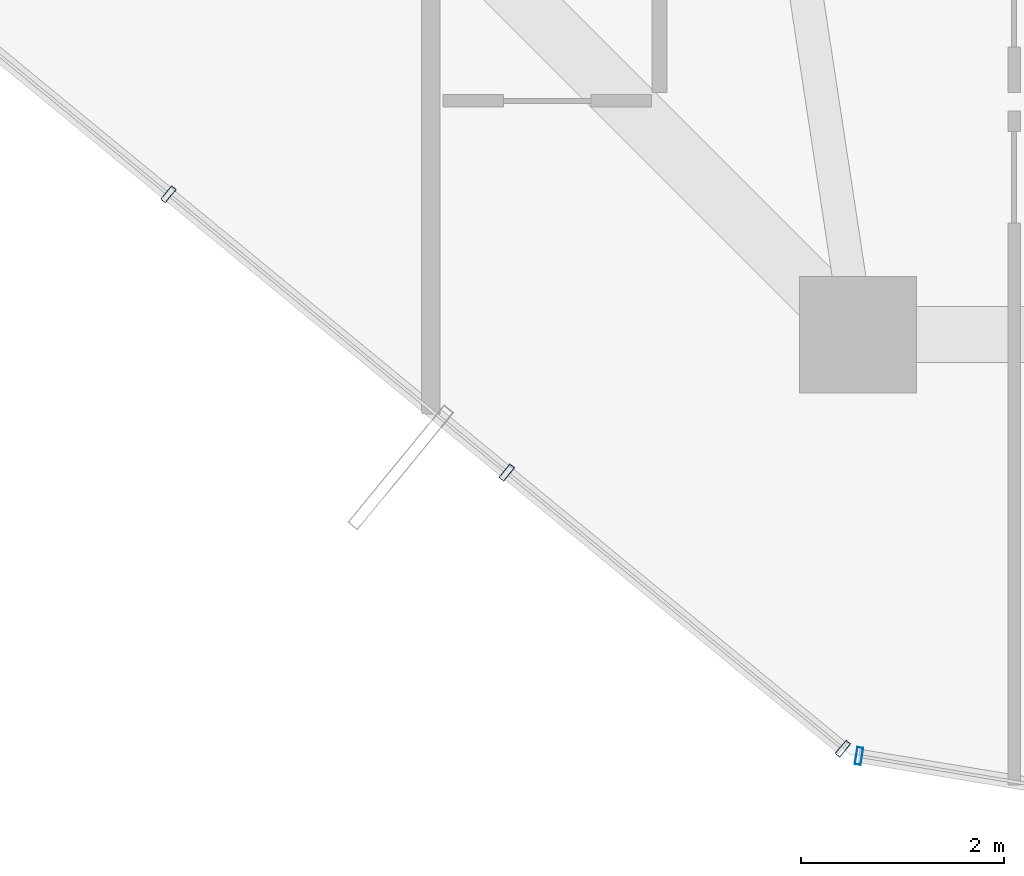
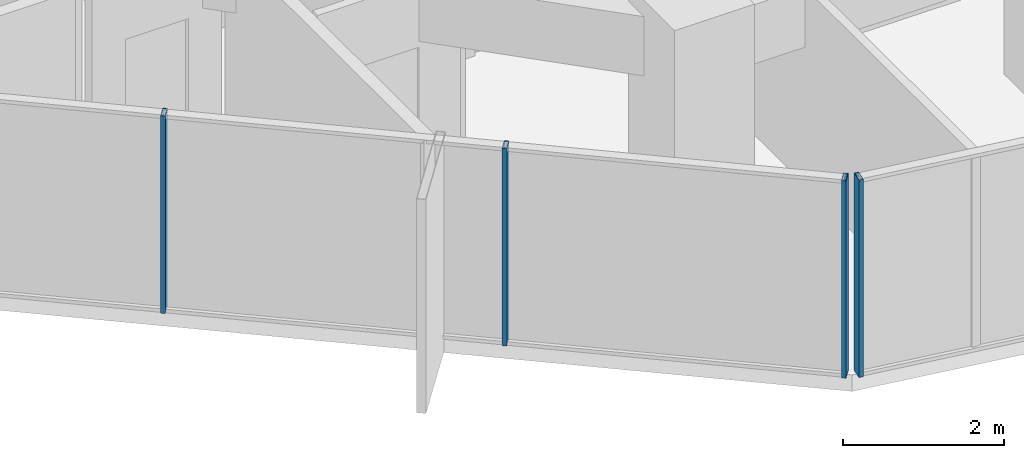
# One storey, part 2 of 30: 4 members, 2 elements without a shape of their own.
"""IFC4 building model written with IfcOpenShell, lengths in metres."""

from ifc_helpers import new_model, si_unit, direction, frame, origin, origin_2d, place, context, subcontext, project, spatial, hollow_rectangle, extrude, source, transform, mapped, material, layer, layer_set, material_profile, profile_set, type_object, element, aggregate, save


model = new_model("IFC4")

# Units and contexts
model_context = context("Model", 3, precision=1e-05, world=origin(), true_north=direction((0.0, 1.0)))
body_context = subcontext(model_context, "Body", "Model", "MODEL_VIEW")
ifc_project = project(units=[si_unit("LENGTHUNIT", "METRE"), si_unit("AREAUNIT", "SQUARE_METRE"), si_unit("VOLUMEUNIT", "CUBIC_METRE"), si_unit("PLANEANGLEUNIT", "RADIAN"), si_unit("MASSUNIT", "GRAM", prefix="KILO")], contexts=[model_context])

# Site, building, storey
site_placement = place(None, origin())
site = spatial("IfcSite", under=ifc_project, at=site_placement, CompositionType="ELEMENT")
building_placement = place(site_placement, origin())
building = spatial("IfcBuilding", under=site, at=building_placement, Name="Veraguas Prism Commons", CompositionType="ELEMENT")
storey_placement = place(building_placement, frame((0.0, 0.0, 95.949951171875)))
storey = spatial("IfcBuildingStorey", under=building, at=storey_placement, Name="L26", CompositionType="ELEMENT", Elevation=95.949951171875)

# Curtain wall, members
ifc_material = material(Name="Anodised aluminium EN AW-6063 T6", Category="aluminium")
ifc_layer = layer(ifc_material, 0.169921875, Name="Unitised Flush Curtain Wall Zone 2", Category="aluminium")
ifc_layer_set = layer_set([ifc_layer], Name="Anodised aluminium EN AW-6063 T6")
curtain_wall_type = type_object("IfcCurtainWallType", Name="Unitised Flush Curtain Wall Zone 2", PredefinedType="NOTDEFINED", material=ifc_layer_set)
curtain_wall_1_placement = place(storey_placement, origin())
curtain_wall_1 = element("IfcCurtainWall", 1, at=curtain_wall_1_placement, inside=storey, type_object=curtain_wall_type, Name="Tower Facade Curtain Wall L26-F4", PredefinedType="NOTDEFINED")
ifc_material_profile = material_profile(ifc_material, hollow_rectangle(XDim=0.06005859375, YDim=0.169921875, WallThickness=0.00390625, at=origin_2d()), Name="AL60X170X4")
ifc_profile_set = profile_set([ifc_material_profile], Name="Anodised aluminium EN AW-6063 T6")
member_type = type_object("IfcMemberType", Name="Curtain Wall Mullion Lower AL 60x170x4", PredefinedType="MULLION", material=ifc_profile_set)
shared_shape = source(origin(), body_context, "Body", "SweptSolid", [
    extrude(hollow_rectangle(XDim=0.06005859375, YDim=0.169921875, WallThickness=0.00390625, at=origin_2d()), origin(), (0.0, 0.0, 1.0), 3.0),
])
member_1_placement = place(storey_placement, frame((11.819091796875, 9.181396484375, 0.0), z_axis=(0.0, 0.0, 1.0), x_axis=(0.772511963678, -0.635000209429, 0.0)))
member_1 = element("IfcMember", 2, at=member_1_placement, type_object=member_type, Name="CW-Z2 Mullion 3", PredefinedType="MULLION", context=body_context, shape_type="MappedRepresentation", body=[
    mapped(shared_shape, transform((0.0, 0.0, 0.0), scale=1.0)),
])
member_2_placement = place(storey_placement, frame((15.1474609375, 6.4453125, 0.0), z_axis=(0.0, 0.0, 1.0), x_axis=(0.772511963678, -0.635000209429, 0.0)))
member_2 = element("IfcMember", 3, at=member_2_placement, type_object=member_type, Name="CW-Z2 Mullion 4", PredefinedType="MULLION", context=body_context, shape_type="MappedRepresentation", body=[
    mapped(shared_shape, transform((0.0, 0.0, 0.0), scale=1.0)),
])
member_3_placement = place(storey_placement, frame((18.452880859375, 3.728515625, 0.0), z_axis=(0.0, 0.0, 1.0), x_axis=(0.772511963678, -0.635000209429, 0.0)))
member_3 = element("IfcMember", 4, at=member_3_placement, type_object=member_type, Name="CW-Z2 Mullion 5", PredefinedType="MULLION", context=body_context, shape_type="MappedRepresentation", body=[
    mapped(shared_shape, transform((0.0, 0.0, 0.0), scale=1.0)),
])
aggregate(curtain_wall_1, [member_1, member_2, member_3])

# Curtain wall, member
curtain_wall_2_placement = place(storey_placement, origin())
curtain_wall_2 = element("IfcCurtainWall", 5, at=curtain_wall_2_placement, inside=storey, type_object=curtain_wall_type, Name="Chamfer Curtain Wall L26-C5", PredefinedType="NOTDEFINED")
member_4_placement = place(storey_placement, frame((18.611083984375, 3.656494140625, 0.0), z_axis=(0.0, 0.0, 1.0), x_axis=(0.986515089987, -0.163670330935, 0.0)))
member_4 = element("IfcMember", 6, at=member_4_placement, type_object=member_type, Name="CW-Z2 Mullion 1", PredefinedType="MULLION", context=body_context, shape_type="MappedRepresentation", body=[
    mapped(shared_shape, transform((0.0, 0.0, 0.0), scale=1.0)),
])
aggregate(curtain_wall_2, [member_4])

save(model, "model.ifc")
